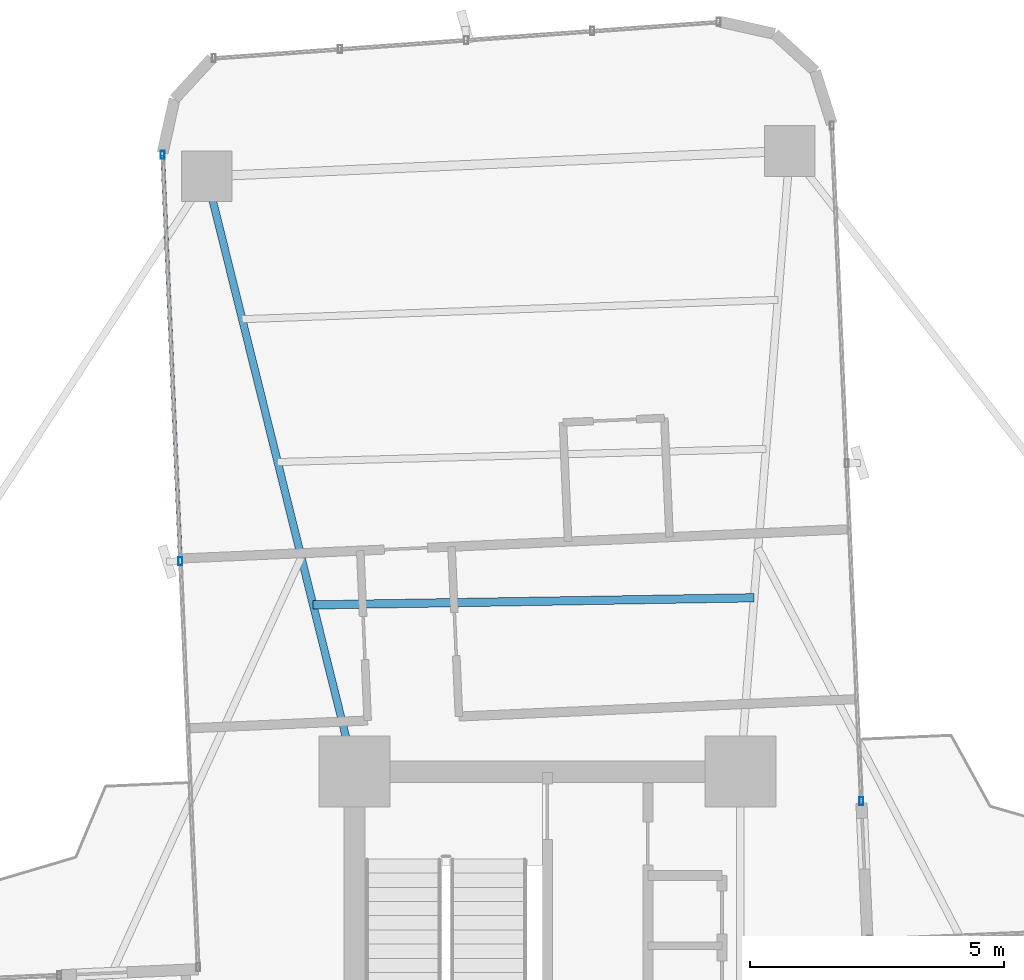
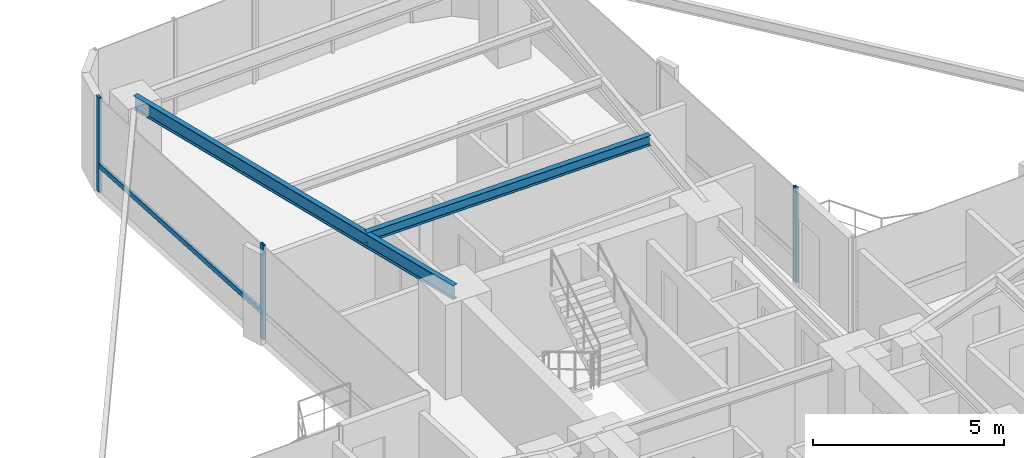
# One storey, part 17 of 26: 4 members, 2 beams, 2 elements without a shape of their own.
"""IFC4 building model written with IfcOpenShell, lengths in metres."""

from ifc_helpers import new_model, si_unit, direction, frame, origin, origin_2d, place, context, subcontext, project, spatial, hollow_rectangle, i_section, extrude, source, transform, mapped, material, material_profile, profile_set, type_object, element, aggregate, save


model = new_model("IFC4")

# Units and contexts
model_context = context("Model", 3, precision=1e-05, world=origin(), true_north=direction((0.0, 1.0)))
body_context = subcontext(model_context, "Body", "Model", "MODEL_VIEW")
ifc_project = project(units=[si_unit("LENGTHUNIT", "METRE"), si_unit("AREAUNIT", "SQUARE_METRE"), si_unit("VOLUMEUNIT", "CUBIC_METRE"), si_unit("PLANEANGLEUNIT", "RADIAN"), si_unit("MASSUNIT", "GRAM", prefix="KILO")], contexts=[model_context])

# Site, building, storey
site_placement = place(None, origin())
site = spatial("IfcSite", under=ifc_project, at=site_placement, CompositionType="ELEMENT")
building_placement = place(site_placement, origin())
building = spatial("IfcBuilding", under=site, at=building_placement, Name="Sahyath Konkavel Grand Hotel", CompositionType="ELEMENT")
storey_placement = place(building_placement, frame((0.0, 0.0, 134.89990234375)))
storey = spatial("IfcBuildingStorey", under=building, at=storey_placement, Name="L37", CompositionType="ELEMENT", Elevation=134.89990234375)

# Beams
ifc_material_1 = material(Name="Steel E350", Category="steel")
ifc_material_profile_1 = material_profile(ifc_material_1, i_section(OverallWidth=0.14990234375, OverallDepth=0.449951171875, WebThickness=0.009521484375, FlangeThickness=0.017333984375, FilletRadius=0.014892578125, at=origin_2d()), Name="ISMB 450")
ifc_profile_set_1 = profile_set([ifc_material_profile_1], Name="Steel E350")
beam_type_1 = type_object("IfcBeamType", Name="BM-ISMB450", PredefinedType="BEAM", material=ifc_profile_set_1)
shared_shape_1 = source(origin(), body_context, "Body", "SweptSolid", [
    extrude(i_section(OverallWidth=0.14990234375, OverallDepth=0.449951171875, WebThickness=0.009521484375, FlangeThickness=0.017333984375, FilletRadius=0.014892578125, at=origin_2d()), origin(), (0.0, 0.0, 1.0), 12.084228515625),
])
beam_1_placement = place(storey_placement, frame((-3.800048828125, 10.199951171875, 2.80517578125), z_axis=(-0.241042688481, 0.970514514229, 0.0), x_axis=(-0.970514514229, -0.241042688481, 0.0)))
element("IfcBeam", 1, at=beam_1_placement, inside=storey, type_object=beam_type_1, Name="L37 Cruciform Radial Girder NB", PredefinedType="BEAM", context=body_context, shape_type="MappedRepresentation", body=[
    mapped(shared_shape_1, transform((0.0, 0.0, 0.0), scale=1.0)),
])
ifc_material_profile_2 = material_profile(ifc_material_1, i_section(OverallWidth=0.1650390625, OverallDepth=0.324951171875, WebThickness=0.007080078125, FlangeThickness=0.009765625, FilletRadius=0.014892578125, at=origin_2d()), Name="ISLB 325")
ifc_profile_set_2 = profile_set([ifc_material_profile_2], Name="Steel E350")
beam_type_2 = type_object("IfcBeamType", Name="BM-ISLB325", PredefinedType="BEAM", material=ifc_profile_set_2)
shared_shape_2 = source(origin(), body_context, "Body", "SweptSolid", [
    extrude(i_section(OverallWidth=0.1650390625, OverallDepth=0.324951171875, WebThickness=0.007080078125, FlangeThickness=0.009765625, FilletRadius=0.014892578125, at=origin_2d()), origin(), (0.0, 0.0, 1.0), 8.68994140625),
])
beam_2_placement = place(storey_placement, frame((4.0732421875, 13.624267578125, 2.86767578125), z_axis=(-0.999869506431, -0.016154569283, 0.0), x_axis=(0.016154569283, -0.999869506431, 0.0)))
element("IfcBeam", 2, at=beam_2_placement, inside=storey, type_object=beam_type_2, Name="L37 Secondary Floor Beam N-1", PredefinedType="BEAM", context=body_context, shape_type="MappedRepresentation", body=[
    mapped(shared_shape_2, transform((0.0, 0.0, 0.0), scale=1.0)),
])

# Curtain wall, member
ifc_material_2 = material(Name="Anodised Bronze Aluminium & Low-E Glazing", Category="aluminium")
curtain_wall_type = type_object("IfcCurtainWallType", Name="CW-ZONE2", PredefinedType="NOTDEFINED", material=ifc_material_2)
curtain_wall_1_placement = place(storey_placement, origin())
curtain_wall_1 = element("IfcCurtainWall", 3, at=curtain_wall_1_placement, inside=storey, type_object=curtain_wall_type, Name="L37 Unitised Curtain Wall F8", PredefinedType="NOTDEFINED")
ifc_material_3 = material(Name="Anodised Bronze Aluminium", Category="aluminium")
ifc_material_profile_3 = material_profile(ifc_material_3, hollow_rectangle(XDim=0.080078125, YDim=0.159912109375, WallThickness=0.006103515625, at=origin_2d()), Name="RHS 160x80x6")
ifc_profile_set_3 = profile_set([ifc_material_profile_3], Name="Anodised Bronze Aluminium")
member_type_1 = type_object("IfcMemberType", Name="CW-MUL-160", PredefinedType="MULLION", material=ifc_profile_set_3)
shared_shape_3 = source(origin(), body_context, "Body", "SweptSolid", [
    extrude(hollow_rectangle(XDim=0.080078125, YDim=0.159912109375, WallThickness=0.006103515625, at=origin_2d()), origin(), (0.0, 0.0, 1.0), 3.030029296875),
])
member_1_placement = place(storey_placement, frame((6.186279296875, 9.618896484375, 0.0), z_axis=(0.0, 0.0, 1.0), x_axis=(1.0, 0.0, 0.0)))
member_1 = element("IfcMember", 4, at=member_1_placement, type_object=member_type_1, Name="L37 Curtain Wall Mullion F8-0", PredefinedType="MULLION", context=body_context, shape_type="MappedRepresentation", body=[
    mapped(shared_shape_3, transform((0.0, 0.0, 0.0), scale=1.0)),
])
aggregate(curtain_wall_1, [member_1])

# Curtain wall, members
curtain_wall_2_placement = place(storey_placement, origin())
curtain_wall_2 = element("IfcCurtainWall", 5, at=curtain_wall_2_placement, inside=storey, type_object=curtain_wall_type, Name="L37 Unitised Curtain Wall F15", PredefinedType="NOTDEFINED")
member_2_placement = place(storey_placement, frame((-7.582275390625, 22.3505859375, 0.0), z_axis=(0.0, 0.0, 1.0), x_axis=(1.0, 0.0, 0.0)))
member_2 = element("IfcMember", 6, at=member_2_placement, type_object=member_type_1, Name="L37 Curtain Wall Mullion F15-0", PredefinedType="MULLION", context=body_context, shape_type="MappedRepresentation", body=[
    mapped(shared_shape_3, transform((0.0, 0.0, 0.0), scale=1.0)),
])
member_3_placement = place(storey_placement, frame((-7.232666015625, 14.34814453125, 0.0), z_axis=(0.0, 0.0, 1.0), x_axis=(1.0, 0.0, 0.0)))
member_3 = element("IfcMember", 7, at=member_3_placement, type_object=member_type_1, Name="L37 Curtain Wall Mullion F15-1", PredefinedType="MULLION", context=body_context, shape_type="MappedRepresentation", body=[
    mapped(shared_shape_3, transform((0.0, 0.0, 0.0), scale=1.0)),
])
ifc_material_profile_4 = material_profile(ifc_material_3, hollow_rectangle(XDim=0.080078125, YDim=0.159912109375, WallThickness=0.006103515625, at=origin_2d()), Name="RHS 160x80x6")
ifc_profile_set_4 = profile_set([ifc_material_profile_4], Name="Anodised Bronze Aluminium")
member_type_2 = type_object("IfcMemberType", Name="CW-TRN-160", PredefinedType="USERDEFINED", material=ifc_profile_set_4)
shared_shape_4 = source(origin(), body_context, "Body", "SweptSolid", [
    extrude(hollow_rectangle(XDim=0.080078125, YDim=0.159912109375, WallThickness=0.006103515625, at=origin_2d()), origin(), (0.0, 0.0, 1.0), 8.010009765625),
])
member_4_placement = place(storey_placement, frame((-7.582275390625, 22.3505859375, 0.85009765625), z_axis=(0.043646207089, -0.999047050247, 0.0), x_axis=(0.999047050247, 0.043646207089, 0.0)))
member_4 = element("IfcMember", 8, at=member_4_placement, type_object=member_type_2, Name="L37 Curtain Wall Transom F15-0-spandrel", ObjectType="TRANSOM", PredefinedType="USERDEFINED", context=body_context, shape_type="MappedRepresentation", body=[
    mapped(shared_shape_4, transform((0.0, 0.0, 0.0), scale=1.0)),
])
aggregate(curtain_wall_2, [member_2, member_3, member_4])

save(model, "model.ifc")
